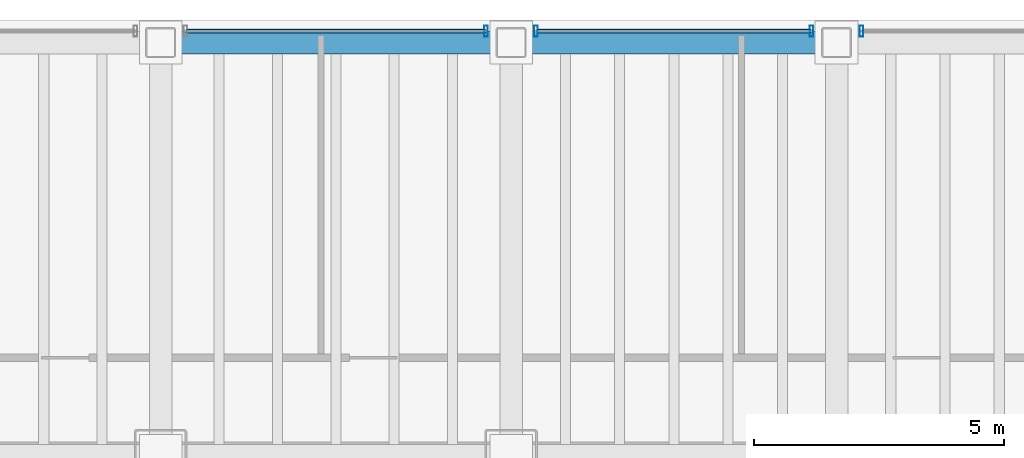
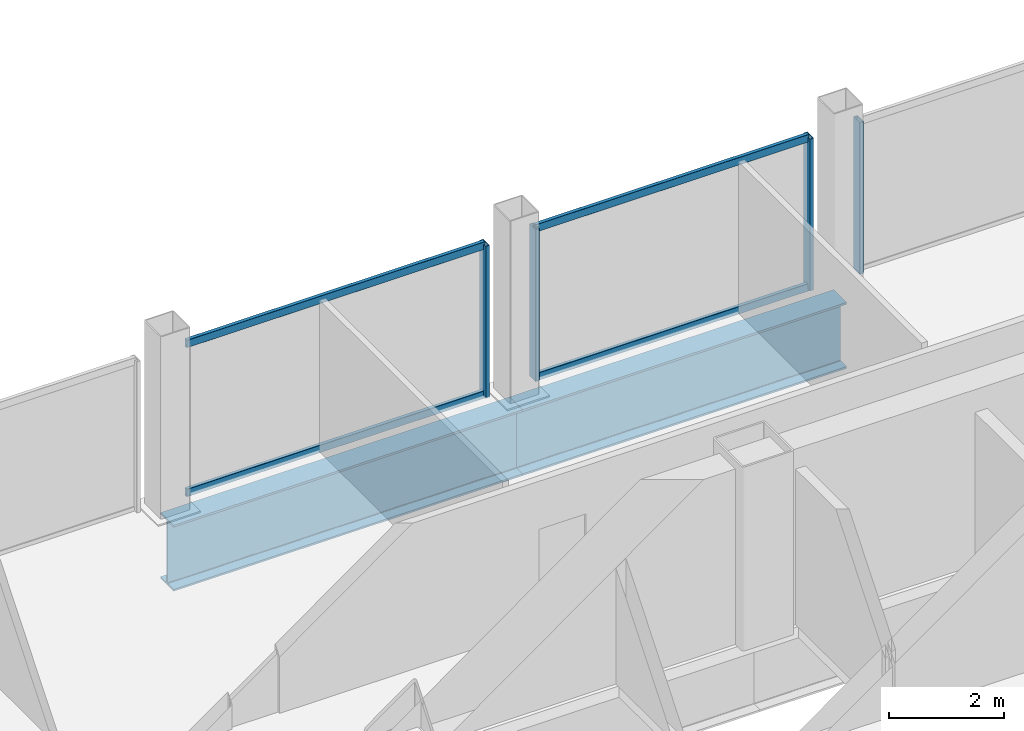
# One storey, part 17 of 23: 8 members, 2 beams, 3 elements without a shape of their own.
"""IFC4 building model written with IfcOpenShell, lengths in metres."""

import ifcopenshell
import ifcopenshell.guid

model = None  # the IFC model being written
_history = None  # IfcOwnerHistory: only IFC2X3 demands one
_inside = {}  # id of a spatial element -> (the spatial element, [elements in it])
_under = {}  # id of a project, library or spatial element -> (it, [spatial elements below it])
_declared = {}  # id of a project -> (the project, [libraries it declares])
_typed = {}  # id of a type object -> (the type object, [elements of that type])
_made_of = {}  # id of a material, layer set ... -> (it, [elements and type objects made of it])


def new_model(schema):
    """Start an empty IFC model of exactly this schema.

    Asked for "IFC4X3", IfcOpenShell would pick the latest addendum, in which some entities
    have other attributes; the version numbers below select the first issue.
    IFC2X3 requires an IfcOwnerHistory on every rooted entity: one is made here for all.
    """
    global model, _history
    if schema == "IFC4X3":
        model = ifcopenshell.file(schema_version=(4, 3, 0, 0))
    else:
        model = ifcopenshell.file(schema=schema)
    _inside.clear()
    _under.clear()
    _declared.clear()
    _typed.clear()
    _made_of.clear()
    _history = None
    if model.schema == "IFC2X3":
        org = make("IfcOrganization", Name="unknown")
        user = make(
            "IfcPersonAndOrganization",
            ThePerson=make("IfcPerson", FamilyName="unknown"),
            TheOrganization=org,
        )
        app = make(
            "IfcApplication",
            ApplicationDeveloper=org,
            Version="unknown",
            ApplicationFullName="unknown",
            ApplicationIdentifier="unknown",
        )
        _history = make(
            "IfcOwnerHistory",
            OwningUser=user,
            OwningApplication=app,
            ChangeAction="ADDED",
            CreationDate=0,
        )
    return model


def make(cls, **values):
    """One entity of the class cls with the attributes given. An attribute that is None is left unset."""
    return model.create_entity(
        cls, **{name: value for name, value in values.items() if value is not None}
    )


def rooted(cls, **values):
    """An entity with a GlobalId (a new one), such as an element, a storey or a relation."""
    return make(cls, GlobalId=ifcopenshell.guid.new(), OwnerHistory=_history, **values)


def si_unit(unit_type, name, prefix=None):
    """IfcSIUnit, for example si_unit("LENGTHUNIT", "METRE", prefix="MILLI")."""
    return make("IfcSIUnit", UnitType=unit_type, Prefix=prefix, Name=name)


def assignment(units):
    """IfcUnitAssignment: the units of a project."""
    return None if units is None else make("IfcUnitAssignment", Units=units)


def point(xyz):
    """IfcCartesianPoint."""
    return None if xyz is None else make("IfcCartesianPoint", Coordinates=xyz)


def direction(xyz):
    """IfcDirection."""
    return None if xyz is None else make("IfcDirection", DirectionRatios=xyz)


def frame(location, z_axis=None, x_axis=None):
    """IfcAxis2Placement3D, a coordinate frame: its origin and axes. An axis left out is left unset."""
    return make(
        "IfcAxis2Placement3D",
        Location=point(location),
        Axis=direction(z_axis),
        RefDirection=direction(x_axis),
    )


def frame_2d(location, x_axis=None):
    """IfcAxis2Placement2D, a coordinate frame in the plane: its origin and x axis."""
    return make(
        "IfcAxis2Placement2D", Location=point(location), RefDirection=direction(x_axis)
    )


def origin():
    """The frame at (0, 0, 0) with its axes left unset."""
    return frame((0.0, 0.0, 0.0))


def origin_2d():
    """The frame at (0, 0) in the plane with its x axis left unset."""
    return frame_2d((0.0, 0.0))


def place(relative_to, where):
    """IfcLocalPlacement: puts the frame where relative to a parent placement (None: the world)."""
    return make(
        "IfcLocalPlacement", PlacementRelTo=relative_to, RelativePlacement=where
    )


def context(
    kind, dimensions, precision=None, world=None, true_north=None, identifier=None
):
    """IfcGeometricRepresentationContext, for example the 3D "Model" context."""
    return make(
        "IfcGeometricRepresentationContext",
        ContextIdentifier=identifier,
        ContextType=kind,
        CoordinateSpaceDimension=dimensions,
        Precision=precision,
        WorldCoordinateSystem=world,
        TrueNorth=true_north,
    )


def subcontext(parent, identifier, kind, view, scale=None):
    """IfcGeometricRepresentationSubContext, for example "Body" below "Model"."""
    return make(
        "IfcGeometricRepresentationSubContext",
        ContextIdentifier=identifier,
        ContextType=kind,
        ParentContext=parent,
        TargetScale=scale,
        TargetView=view,
    )


def project(units=None, contexts=None):
    """IfcProject with its units and contexts."""
    return rooted(
        "IfcProject",
        Name="project",
        RepresentationContexts=contexts,
        UnitsInContext=assignment(units),
    )


def spatial(cls, under=None, at=None, **own):
    """A site, building, storey or space (cls), placed at a placement, below another one or the project."""
    s = rooted(cls, ObjectPlacement=at, **own)
    if under is not None:
        _under.setdefault(under.id(), (under, []))[1].append(s)
    return s


def profile(cls, at=None, kind="AREA", **sizes):
    """A parametric profile (cls). Its sizes go by their IFC names, for example OverallWidth=200.0."""
    return make(cls, ProfileType=kind, Position=at, **sizes)


def hollow_rectangle(**sizes):
    """IfcRectangleHollowProfileDef."""
    return profile("IfcRectangleHollowProfileDef", **sizes)


def i_section(**sizes):
    """IfcIShapeProfileDef."""
    return profile("IfcIShapeProfileDef", **sizes)


def extrude(swept, where, along, depth):
    """IfcExtrudedAreaSolid: the profile swept, set in the frame where, extruded along a direction by depth."""
    return make(
        "IfcExtrudedAreaSolid",
        SweptArea=swept,
        Position=where,
        ExtrudedDirection=direction(along),
        Depth=depth,
    )


def shape(context_of_items, identifier, shape_type, items):
    """IfcShapeRepresentation: the items that make up one representation, for example the "Body"."""
    return make(
        "IfcShapeRepresentation",
        ContextOfItems=context_of_items,
        RepresentationIdentifier=identifier,
        RepresentationType=shape_type,
        Items=items,
    )


def material(Name=None, Category=None):
    """IfcMaterial."""
    return make("IfcMaterial", Name=Name, Category=Category)


def material_profile(
    of_material, cross_section, Name=None, Category=None, Priority=None
):
    """IfcMaterialProfile: a cross section and its material."""
    return make(
        "IfcMaterialProfile",
        Name=Name,
        Material=of_material,
        Profile=cross_section,
        Priority=Priority,
        Category=Category,
    )


def profile_set(profiles, Name=None, composite=None):
    """IfcMaterialProfileSet."""
    return make(
        "IfcMaterialProfileSet",
        Name=Name,
        MaterialProfiles=profiles,
        CompositeProfile=composite,
    )


def made_of(thing, what):
    """Note that an element or type object is made of a material, layer set ...; save() writes the relation."""
    if what is not None:
        _made_of.setdefault(what.id(), (what, []))[1].append(thing)
    return thing


def type_object(cls, material=None, **own):
    """A type object (cls), such as IfcWallType, which elements share."""
    return made_of(rooted(cls, **own), material)


def element(
    cls,
    number,
    at=None,
    inside=None,
    cuts=None,
    type_object=None,
    material=None,
    context=None,
    identifier="Body",
    shape_type=None,
    held_by="IfcProductDefinitionShape",
    body=None,
    shapes=None,
    **own,
):
    """One element of the class cls, such as IfcWall. Its Tag is "e" and its number.

    at: its placement. inside: the storey or other place that contains it. cuts: it is an
    opening in that element (IfcRelVoidsElement). A single representation is given by context,
    identifier, shape_type and body (its items); several are given by shapes. held_by: the class
    of the entity that holds the representations. save() writes the other relations.
    """
    e = rooted(cls, Tag="e%d" % number, ObjectPlacement=at, **own)
    if body is not None:
        shapes = [shape(context, identifier, shape_type, body)]
    if shapes is not None:
        e.Representation = make(held_by, Representations=shapes)
    if inside is not None:
        _inside.setdefault(inside.id(), (inside, []))[1].append(e)
    if cuts is not None:
        rooted(
            "IfcRelVoidsElement", RelatingBuildingElement=cuts, RelatedOpeningElement=e
        )
    if type_object is not None:
        _typed.setdefault(type_object.id(), (type_object, []))[1].append(e)
    return made_of(e, material)


def aggregate(whole, parts):
    """IfcRelAggregates: a whole, such as a stair, and the parts it consists of."""
    return rooted("IfcRelAggregates", RelatingObject=whole, RelatedObjects=parts)


def save(model, path):
    """Write the relations noted so far, then the file.

    IfcRelAggregates (storeys below a building ...), IfcRelContainedInSpatialStructure (elements
    in a storey), IfcRelDefinesByType, IfcRelAssociatesMaterial and IfcRelDeclares: one each for
    every whole, place, type object, material and project.
    """
    for whole, parts in _under.values():
        aggregate(whole, parts)
    for where, things in _inside.values():
        rooted(
            "IfcRelContainedInSpatialStructure",
            RelatedElements=things,
            RelatingStructure=where,
        )
    for kind, things in _typed.values():
        rooted("IfcRelDefinesByType", RelatedObjects=things, RelatingType=kind)
    for what, things in _made_of.values():
        rooted("IfcRelAssociatesMaterial", RelatedObjects=things, RelatingMaterial=what)
    for by, libraries in _declared.values():
        rooted("IfcRelDeclares", RelatingContext=by, RelatedDefinitions=libraries)
    model.write(path)


model = new_model("IFC4")

# Units and contexts
model_context = context("Model", 3, precision=1e-05, world=origin(), true_north=direction((0.0, 1.0)))
body_context = subcontext(model_context, "Body", "Model", "MODEL_VIEW")
ifc_project = project(units=[si_unit("LENGTHUNIT", "METRE"), si_unit("AREAUNIT", "SQUARE_METRE"), si_unit("VOLUMEUNIT", "CUBIC_METRE"), si_unit("PLANEANGLEUNIT", "RADIAN"), si_unit("MASSUNIT", "GRAM", prefix="KILO")], contexts=[model_context])

# Site, building, storey
site_placement = place(None, origin())
site = spatial("IfcSite", under=ifc_project, at=site_placement, CompositionType="ELEMENT")
building_placement = place(site_placement, origin())
building = spatial("IfcBuilding", under=site, at=building_placement, Name="Noeulbin Bourse Tower", CompositionType="ELEMENT")
storey_placement = place(building_placement, frame((0.0, 0.0, 53.800048828125)))
storey = spatial("IfcBuildingStorey", under=building, at=storey_placement, Name="L13", CompositionType="ELEMENT", Elevation=53.800048828125)

# Beams
ifc_material_1 = material(Name="Steel S460", Category="steel")
ifc_material_profile_1 = material_profile(ifc_material_1, i_section(OverallWidth=0.449951171875, OverallDepth=1.39990234375, WebThickness=0.02392578125, FlangeThickness=0.0400390625, FilletRadius=0.02392578125, at=origin_2d()), Name="PG-1400x450x24x40", Category="LoadBearing")
ifc_profile_set_1 = profile_set([ifc_material_profile_1], Name="Steel S460")
beam_type = type_object("IfcBeamType", Name="BM-TRF-1400", PredefinedType="USERDEFINED", material=ifc_profile_set_1)
beam_1_placement = place(storey_placement, frame((24.0, 46.550048828125, -0.93994140625), z_axis=(1.0, 0.0, 0.0), x_axis=(0.0, 1.0, 0.0)))
element("IfcBeam", 1, at=beam_1_placement, inside=storey, type_object=beam_type, Name="North Spandrel L13-2", ObjectType="GIRDER", PredefinedType="USERDEFINED", context=body_context, shape_type="SweptSolid", body=[
    extrude(i_section(OverallWidth=0.449951171875, OverallDepth=1.39990234375, WebThickness=0.02392578125, FlangeThickness=0.0400390625, FilletRadius=0.02392578125, at=origin_2d()), origin(), (0.0, 0.0, 1.0), 7.0),
])
beam_2_placement = place(storey_placement, frame((31.0, 46.550048828125, -0.93994140625), z_axis=(1.0, 0.0, 0.0), x_axis=(0.0, 1.0, 0.0)))
element("IfcBeam", 2, at=beam_2_placement, inside=storey, type_object=beam_type, Name="North Spandrel L13-3", ObjectType="GIRDER", PredefinedType="USERDEFINED", context=body_context, shape_type="SweptSolid", body=[
    extrude(i_section(OverallWidth=0.449951171875, OverallDepth=1.39990234375, WebThickness=0.02392578125, FlangeThickness=0.0400390625, FilletRadius=0.02392578125, at=origin_2d()), origin(), (0.0, 0.0, 1.0), 6.5),
])

# Curtain wall, member
ifc_material_2 = material(Name="Dark Solar-Control Double Glazing", Category="glass")
curtain_wall_type = type_object("IfcCurtainWallType", Name="CW-SYS-2", PredefinedType="NOTDEFINED", material=ifc_material_2)
curtain_wall_1_placement = place(storey_placement, origin())
curtain_wall_1 = element("IfcCurtainWall", 3, at=curtain_wall_1_placement, inside=storey, type_object=curtain_wall_type, Name="Unitised Curtain Wall CW-L13-N-S3", PredefinedType="NOTDEFINED")
ifc_material_3 = material(Name="Anodised Aluminium 6063-T6", Category="aluminium")
ifc_material_profile_2 = material_profile(ifc_material_3, hollow_rectangle(XDim=0.074951171875, YDim=0.219970703125, WallThickness=0.0048828125, InnerFilletRadius=0.00244140625, OuterFilletRadius=0.0048828125, at=origin_2d()), Name="ALU-MULL-75x220x5", Category="LoadBearing")
ifc_profile_set_2 = profile_set([ifc_material_profile_2], Name="Anodised Aluminium 6063-T6")
member_type_1 = type_object("IfcMemberType", Name="CW-SYS-2-MUL", PredefinedType="MULLION", material=ifc_profile_set_2)
member_1_placement = place(storey_placement, frame((30.5, 46.780029296875, -0.02001953125), z_axis=(0.0, 0.0, 1.0), x_axis=(1.0, 0.0, 0.0)))
member_1 = element("IfcMember", 4, at=member_1_placement, type_object=member_type_1, Name="Curtain Wall Mullion CW-L13-N-S3-M01", PredefinedType="MULLION", context=body_context, shape_type="SweptSolid", body=[
    extrude(hollow_rectangle(XDim=0.074951171875, YDim=0.219970703125, WallThickness=0.0048828125, InnerFilletRadius=0.00244140625, OuterFilletRadius=0.0048828125, at=origin_2d()), origin(), (0.0, 0.0, 1.0), 3.219970703125),
])

# Curtain wall, members
curtain_wall_2_placement = place(storey_placement, origin())
curtain_wall_2 = element("IfcCurtainWall", 5, at=curtain_wall_2_placement, inside=storey, type_object=curtain_wall_type, Name="Unitised Curtain Wall CW-L13-N-S4", PredefinedType="NOTDEFINED")
member_2_placement = place(storey_placement, frame((31.5, 46.780029296875, -0.02001953125), z_axis=(0.0, 0.0, 1.0), x_axis=(1.0, 0.0, 0.0)))
member_2 = element("IfcMember", 6, at=member_2_placement, type_object=member_type_1, Name="Curtain Wall Mullion CW-L13-N-S4-M00", PredefinedType="MULLION", context=body_context, shape_type="SweptSolid", body=[
    extrude(hollow_rectangle(XDim=0.074951171875, YDim=0.219970703125, WallThickness=0.0048828125, InnerFilletRadius=0.00244140625, OuterFilletRadius=0.0048828125, at=origin_2d()), origin(), (0.0, 0.0, 1.0), 3.219970703125),
])
member_3_placement = place(storey_placement, frame((37.0, 46.780029296875, -0.02001953125), z_axis=(0.0, 0.0, 1.0), x_axis=(1.0, 0.0, 0.0)))
member_3 = element("IfcMember", 7, at=member_3_placement, type_object=member_type_1, Name="Curtain Wall Mullion CW-L13-N-S4-M01", PredefinedType="MULLION", context=body_context, shape_type="SweptSolid", body=[
    extrude(hollow_rectangle(XDim=0.074951171875, YDim=0.219970703125, WallThickness=0.0048828125, InnerFilletRadius=0.00244140625, OuterFilletRadius=0.0048828125, at=origin_2d()), origin(), (0.0, 0.0, 1.0), 3.219970703125),
])

# Curtain wall, member
curtain_wall_3_placement = place(storey_placement, origin())
curtain_wall_3 = element("IfcCurtainWall", 8, at=curtain_wall_3_placement, inside=storey, type_object=curtain_wall_type, Name="Unitised Curtain Wall CW-L13-N-S5", PredefinedType="NOTDEFINED")
member_4_placement = place(storey_placement, frame((38.0, 46.780029296875, -0.02001953125), z_axis=(0.0, 0.0, 1.0), x_axis=(1.0, 0.0, 0.0)))
member_4 = element("IfcMember", 9, at=member_4_placement, type_object=member_type_1, Name="Curtain Wall Mullion CW-L13-N-S5-M00", PredefinedType="MULLION", context=body_context, shape_type="SweptSolid", body=[
    extrude(hollow_rectangle(XDim=0.074951171875, YDim=0.219970703125, WallThickness=0.0048828125, InnerFilletRadius=0.00244140625, OuterFilletRadius=0.0048828125, at=origin_2d()), origin(), (0.0, 0.0, 1.0), 3.219970703125),
])
aggregate(curtain_wall_3, [member_4])

# Member
ifc_material_profile_3 = material_profile(ifc_material_3, hollow_rectangle(XDim=0.074951171875, YDim=0.159912109375, WallThickness=0.0048828125, InnerFilletRadius=0.00244140625, OuterFilletRadius=0.0048828125, at=origin_2d()), Name="ALU-TRAN-75x160x5", Category="LoadBearing")
ifc_profile_set_3 = profile_set([ifc_material_profile_3], Name="Anodised Aluminium 6063-T6")
member_type_2 = type_object("IfcMemberType", Name="CW-SYS-2-TRN", PredefinedType="USERDEFINED", material=ifc_profile_set_3)
member_5_placement = place(storey_placement, frame((24.510009765625, 46.780029296875, 0.010009765625), z_axis=(1.0, 0.0, 0.0), x_axis=(0.0, 1.0, 0.0)))
member_5 = element("IfcMember", 10, at=member_5_placement, type_object=member_type_2, Name="Curtain Wall Transom CW-L13-N-S3-T00", ObjectType="TRANSOM", PredefinedType="USERDEFINED", context=body_context, shape_type="SweptSolid", body=[
    extrude(hollow_rectangle(XDim=0.074951171875, YDim=0.159912109375, WallThickness=0.0048828125, InnerFilletRadius=0.00244140625, OuterFilletRadius=0.0048828125, at=origin_2d()), origin(), (0.0, 0.0, 1.0), 5.97998046875),
])

member_6_placement = place(storey_placement, frame((24.510009765625, 46.780029296875, 3.169921875), z_axis=(1.0, 0.0, 0.0), x_axis=(0.0, 1.0, 0.0)))
member_6 = element("IfcMember", 11, at=member_6_placement, type_object=member_type_2, Name="Curtain Wall Transom CW-L13-N-S3-T01", ObjectType="TRANSOM", PredefinedType="USERDEFINED", context=body_context, shape_type="SweptSolid", body=[
    extrude(hollow_rectangle(XDim=0.074951171875, YDim=0.159912109375, WallThickness=0.0048828125, InnerFilletRadius=0.00244140625, OuterFilletRadius=0.0048828125, at=origin_2d()), origin(), (0.0, 0.0, 1.0), 5.97998046875),
])

aggregate(curtain_wall_1, [member_1, member_5, member_6])

member_7_placement = place(storey_placement, frame((31.510009765625, 46.780029296875, 0.010009765625), z_axis=(1.0, 0.0, 0.0), x_axis=(0.0, 1.0, 0.0)))
member_7 = element("IfcMember", 12, at=member_7_placement, type_object=member_type_2, Name="Curtain Wall Transom CW-L13-N-S4-T00", ObjectType="TRANSOM", PredefinedType="USERDEFINED", context=body_context, shape_type="SweptSolid", body=[
    extrude(hollow_rectangle(XDim=0.074951171875, YDim=0.159912109375, WallThickness=0.0048828125, InnerFilletRadius=0.00244140625, OuterFilletRadius=0.0048828125, at=origin_2d()), origin(), (0.0, 0.0, 1.0), 5.47998046875),
])

member_8_placement = place(storey_placement, frame((31.510009765625, 46.780029296875, 3.169921875), z_axis=(1.0, 0.0, 0.0), x_axis=(0.0, 1.0, 0.0)))
member_8 = element("IfcMember", 13, at=member_8_placement, type_object=member_type_2, Name="Curtain Wall Transom CW-L13-N-S4-T01", ObjectType="TRANSOM", PredefinedType="USERDEFINED", context=body_context, shape_type="SweptSolid", body=[
    extrude(hollow_rectangle(XDim=0.074951171875, YDim=0.159912109375, WallThickness=0.0048828125, InnerFilletRadius=0.00244140625, OuterFilletRadius=0.0048828125, at=origin_2d()), origin(), (0.0, 0.0, 1.0), 5.47998046875),
])

aggregate(curtain_wall_2, [member_2, member_3, member_7, member_8])

save(model, "model.ifc")
